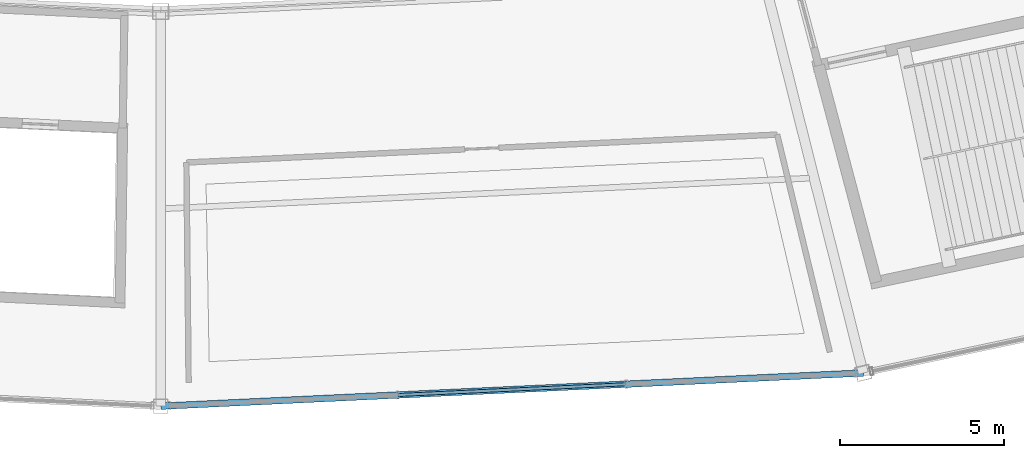
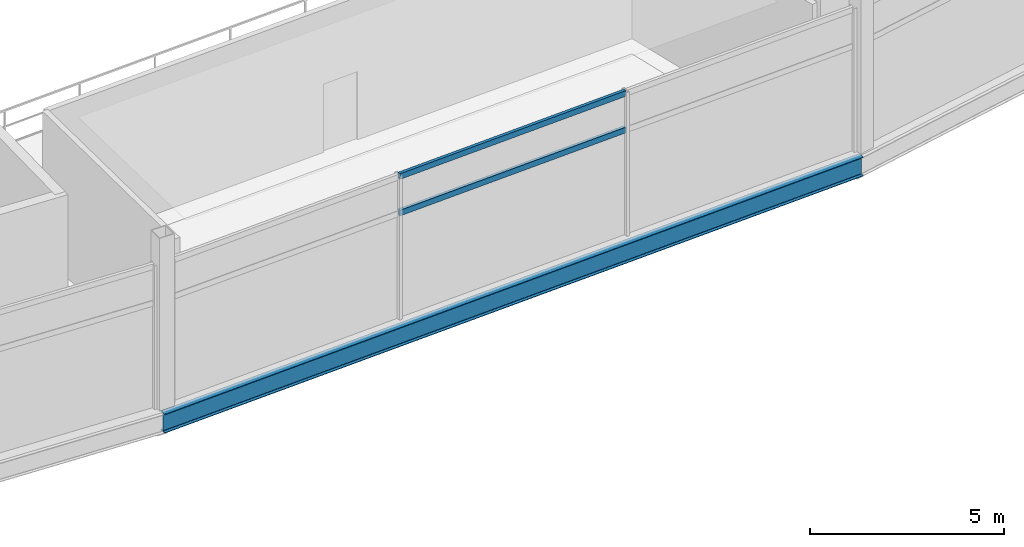
# One storey, part 29 of 103: 2 members, 1 beam, 1 element without a shape of its own.
"""IFC4 building model written with IfcOpenShell, lengths in metres."""

from ifc_helpers import new_model, si_unit, direction, frame, origin, origin_2d, place, context, subcontext, project, spatial, hollow_rectangle, i_section, extrude, material, layer, layer_set, material_profile, profile_set, type_object, element, aggregate, save


model = new_model("IFC4")

# Units and contexts
model_context = context("Model", 3, precision=1e-05, world=origin(), true_north=direction((0.0, 1.0)))
body_context = subcontext(model_context, "Body", "Model", "MODEL_VIEW")
ifc_project = project(units=[si_unit("LENGTHUNIT", "METRE"), si_unit("AREAUNIT", "SQUARE_METRE"), si_unit("VOLUMEUNIT", "CUBIC_METRE"), si_unit("PLANEANGLEUNIT", "RADIAN"), si_unit("MASSUNIT", "GRAM", prefix="KILO")], contexts=[model_context])

# Site, building, storey
site_placement = place(None, origin())
site = spatial("IfcSite", under=ifc_project, at=site_placement, CompositionType="ELEMENT")
building_placement = place(site_placement, origin())
building = spatial("IfcBuilding", under=site, at=building_placement, Name="Kazemori Nagisa Stadium", CompositionType="ELEMENT")
storey_placement = place(building_placement, frame((0.0, 0.0, 25.840087890625)))
storey = spatial("IfcBuildingStorey", under=building, at=storey_placement, Name="L05", CompositionType="ELEMENT", Elevation=25.840087890625)

# Beam
ifc_material_1 = material(Name="Steel SN490B", Category="steel")
ifc_material_profile_1 = material_profile(ifc_material_1, i_section(OverallWidth=0.199951171875, OverallDepth=0.60009765625, WebThickness=0.010986328125, FlangeThickness=0.01708984375, FilletRadius=0.012939453125, at=origin_2d()), Name="H-600x200x11x17")
ifc_profile_set_1 = profile_set([ifc_material_profile_1], Name="Steel SN490B")
beam_type = type_object("IfcBeamType", Name="Beam_BS-H600", PredefinedType="SPANDREL", material=ifc_profile_set_1)
beam_placement = place(storey_placement, frame((123.0, 16.0, -0.56005859375), z_axis=(0.998883994571, 0.047230979144, 0.0), x_axis=(-0.047230979144, 0.998883994571, 0.0)))
element("IfcBeam", 1, at=beam_placement, inside=storey, type_object=beam_type, Name="Ring girder BS-H600 L05 R3-22", PredefinedType="SPANDREL", context=body_context, shape_type="SweptSolid", body=[
    extrude(i_section(OverallWidth=0.199951171875, OverallDepth=0.60009765625, WebThickness=0.010986328125, FlangeThickness=0.01708984375, FilletRadius=0.012939453125, at=origin_2d()), origin(), (0.0, 0.0, 1.0), 21.45166015625),
])

# Curtain wall, members
ifc_material_2 = material(Name="Anodised aluminium 6063-T5", Category="aluminium")
ifc_layer = layer(ifc_material_2, 0.239990234375, Name="Anodised aluminium 6063-T5", Category="aluminium")
ifc_layer_set = layer_set([ifc_layer], Name="Anodised aluminium 6063-T5")
curtain_wall_type = type_object("IfcCurtainWallType", Name="CW_L05R3_105", PredefinedType="USERDEFINED", material=ifc_layer_set)
curtain_wall_placement = place(storey_placement, origin())
curtain_wall = element("IfcCurtainWall", 2, at=curtain_wall_placement, inside=storey, type_object=curtain_wall_type, Name="Unitised curtain wall CW-L05R3-105 L05", ObjectType="UNITISED CURTAIN WALL", PredefinedType="USERDEFINED")
ifc_material_3 = material(Name="Aluminium 6063-T5 anodised", Category="aluminium")
ifc_material_profile_2 = material_profile(ifc_material_3, hollow_rectangle(XDim=0.090087890625, YDim=0.179931640625, WallThickness=0.0048828125, at=origin_2d()), Name="ALU-TRAN-90x180x5")
ifc_profile_set_2 = profile_set([ifc_material_profile_2], Name="Aluminium 6063-T5 anodised")
member_type = type_object("IfcMemberType", Name="Transom_T03", PredefinedType="USERDEFINED", material=ifc_profile_set_2)
member_1_placement = place(storey_placement, frame((130.24755859375, 16.3427734375, 3.306884765625), z_axis=(0.998885105073, 0.047207487358, 0.0), x_axis=(-0.047207487358, 0.998885105073, 0.0)))
member_1 = element("IfcMember", 3, at=member_1_placement, type_object=member_type, Name="Curtain wall transom CW-L05R3-105-T2-mid", ObjectType="TRANSOM", PredefinedType="USERDEFINED", context=body_context, shape_type="SweptSolid", body=[
    extrude(hollow_rectangle(XDim=0.090087890625, YDim=0.179931640625, WallThickness=0.0048828125, at=origin_2d()), origin(), (0.0, 0.0, 1.0), 6.9404296875),
])
member_2_placement = place(storey_placement, frame((130.24755859375, 16.3427734375, 4.4599609375), z_axis=(0.998885105073, 0.047207487358, 0.0), x_axis=(-0.047207487358, 0.998885105073, 0.0)))
member_2 = element("IfcMember", 4, at=member_2_placement, type_object=member_type, Name="Curtain wall transom CW-L05R3-105-T2-head", ObjectType="TRANSOM", PredefinedType="USERDEFINED", context=body_context, shape_type="SweptSolid", body=[
    extrude(hollow_rectangle(XDim=0.090087890625, YDim=0.179931640625, WallThickness=0.0048828125, at=origin_2d()), origin(), (0.0, 0.0, 1.0), 6.9404296875),
])
aggregate(curtain_wall, [member_1, member_2])

save(model, "model.ifc")
